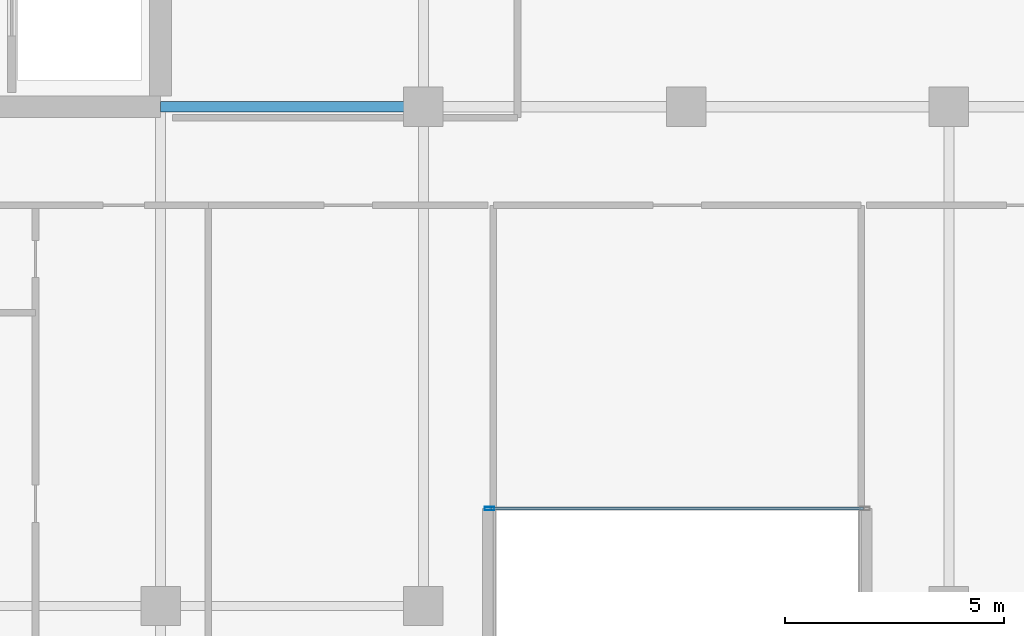
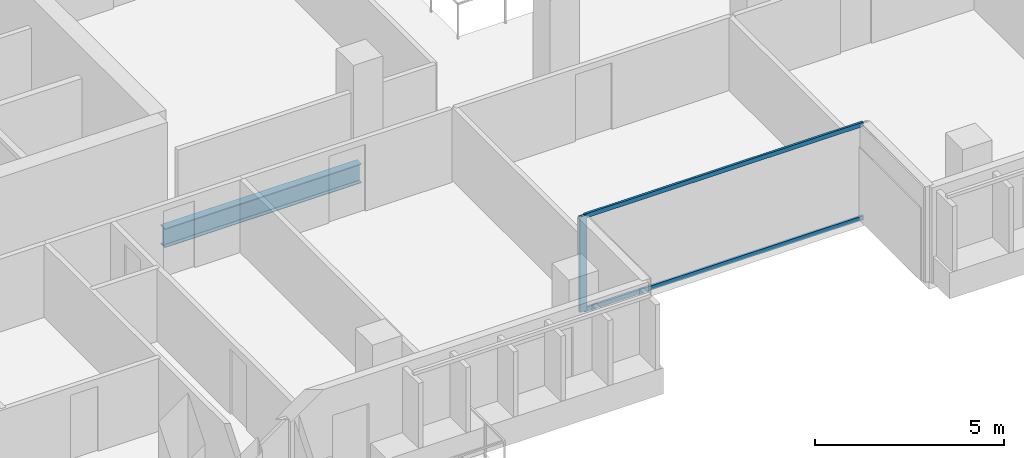
# One storey, part 2 of 21: 3 members, 1 beam, 1 element without a shape of its own.
"""IFC4 building model written with IfcOpenShell, lengths in metres."""

from ifc_helpers import new_model, si_unit, direction, frame, origin, origin_2d, place, context, subcontext, project, spatial, hollow_rectangle, i_section, extrude, material, layer, layer_set, material_profile, profile_set, type_object, element, aggregate, save


model = new_model("IFC4")

# Units and contexts
model_context = context("Model", 3, precision=1e-05, world=origin(), true_north=direction((0.0, 1.0)))
body_context = subcontext(model_context, "Body", "Model", "MODEL_VIEW")
ifc_project = project(units=[si_unit("LENGTHUNIT", "METRE"), si_unit("AREAUNIT", "SQUARE_METRE"), si_unit("VOLUMEUNIT", "CUBIC_METRE"), si_unit("PLANEANGLEUNIT", "RADIAN"), si_unit("MASSUNIT", "GRAM", prefix="KILO")], contexts=[model_context])

# Site, building, storey
site_placement = place(None, origin())
site = spatial("IfcSite", under=ifc_project, at=site_placement, CompositionType="ELEMENT")
building_placement = place(site_placement, origin())
building = spatial("IfcBuilding", under=site, at=building_placement, Name="Tanjung Sevakor Pilgrim Tower", CompositionType="ELEMENT")
storey_placement = place(building_placement, frame((0.0, 0.0, 145.199951171875)))
storey = spatial("IfcBuildingStorey", under=building, at=storey_placement, Name="L40", CompositionType="ELEMENT", Elevation=145.199951171875)

# Beam
ifc_material_1 = material(Name="Steel S355J2", Category="steel")
ifc_material_profile_1 = material_profile(ifc_material_1, i_section(OverallWidth=0.230224609375, OverallDepth=0.6171875, WebThickness=0.01318359375, FlangeThickness=0.022216796875, FilletRadius=0.0126953125, at=origin_2d()))
ifc_profile_set_1 = profile_set([ifc_material_profile_1], Name="Steel S355J2")
beam_type = type_object("IfcBeamType", Name="BM-B-G3-UB_610x229x140", PredefinedType="BEAM", material=ifc_profile_set_1)
beam_placement = place(storey_placement, frame((36.0, 24.60009765625, -0.528564453125), z_axis=(1.0, 0.0, 0.0), x_axis=(0.0, 1.0, 0.0)))
element("IfcBeam", 1, at=beam_placement, inside=storey, type_object=beam_type, Name="L40 Primary Floor Girder MAIN Y246-01", PredefinedType="BEAM", context=body_context, shape_type="SweptSolid", body=[
    extrude(i_section(OverallWidth=0.230224609375, OverallDepth=0.6171875, WebThickness=0.01318359375, FlangeThickness=0.022216796875, FilletRadius=0.0126953125, at=origin_2d()), origin(), (0.0, 0.0, 1.0), 6.0),
])

# Curtain wall, members
ifc_material_2 = material(Name="Aluminium 6063-T6 and Low-E Glass", Category="aluminium")
ifc_layer = layer(ifc_material_2, 0.179931640625)
ifc_layer_set = layer_set([ifc_layer], Name="CW-SYS-CLEFT")
curtain_wall_type = type_object("IfcCurtainWallType", Name="CW-SYS-CLEFT", PredefinedType="NOTDEFINED", material=ifc_layer_set)
curtain_wall_placement = place(storey_placement, origin())
curtain_wall = element("IfcCurtainWall", 2, at=curtain_wall_placement, inside=storey, type_object=curtain_wall_type, Name="L40 Curtain Wall CW-CLF-L40-2", PredefinedType="NOTDEFINED")
ifc_material_3 = material(Name="Aluminium 6063-T6", Category="aluminium")
ifc_material_profile_2 = material_profile(ifc_material_3, hollow_rectangle(XDim=0.074951171875, YDim=0.219970703125, WallThickness=0.0048828125, at=origin_2d()))
ifc_profile_set_2 = profile_set([ifc_material_profile_2], Name="Aluminium 6063-T6")
member_type_1 = type_object("IfcMemberType", Name="TYPE-CWM-2", PredefinedType="MULLION", material=ifc_profile_set_2)
member_1_placement = place(storey_placement, frame((43.512451171875, 15.425048828125, 0.0), z_axis=(0.0, 0.0, 1.0), x_axis=(0.0, 1.0, 0.0)))
member_1 = element("IfcMember", 3, at=member_1_placement, type_object=member_type_1, Name="CW-CLF mullion 1", PredefinedType="MULLION", context=body_context, shape_type="SweptSolid", body=[
    extrude(hollow_rectangle(XDim=0.074951171875, YDim=0.219970703125, WallThickness=0.0048828125, at=origin_2d()), origin(), (0.0, 0.0, 1.0), 3.080078125),
])
ifc_material_4 = material(Name="Aluminium 6063-T6", Category="aluminium")
ifc_material_profile_3 = material_profile(ifc_material_4, hollow_rectangle(XDim=0.06494140625, YDim=0.139892578125, WallThickness=0.00390625, at=origin_2d()))
ifc_profile_set_3 = profile_set([ifc_material_profile_3], Name="Aluminium 6063-T6")
member_type_2 = type_object("IfcMemberType", Name="TYPE-CWT-1", PredefinedType="USERDEFINED", material=ifc_profile_set_3)
member_2_placement = place(storey_placement, frame((43.550048828125, 15.425048828125, 0.032470703125), z_axis=(1.0, 0.0, 0.0), x_axis=(0.0, 1.0, 0.0)))
member_2 = element("IfcMember", 4, at=member_2_placement, type_object=member_type_2, Name="CW-CLF transom 1.1", ObjectType="TRANSOM", PredefinedType="USERDEFINED", context=body_context, shape_type="SweptSolid", body=[
    extrude(hollow_rectangle(XDim=0.06494140625, YDim=0.139892578125, WallThickness=0.00390625, at=origin_2d()), origin(), (0.0, 0.0, 1.0), 8.5),
])
member_3_placement = place(storey_placement, frame((43.550048828125, 15.425048828125, 3.047607421875), z_axis=(1.0, 0.0, 0.0), x_axis=(0.0, 1.0, 0.0)))
member_3 = element("IfcMember", 5, at=member_3_placement, type_object=member_type_2, Name="CW-CLF transom 1.2", ObjectType="TRANSOM", PredefinedType="USERDEFINED", context=body_context, shape_type="SweptSolid", body=[
    extrude(hollow_rectangle(XDim=0.06494140625, YDim=0.139892578125, WallThickness=0.00390625, at=origin_2d()), origin(), (0.0, 0.0, 1.0), 8.5),
])
aggregate(curtain_wall, [member_1, member_2, member_3])

save(model, "model.ifc")
